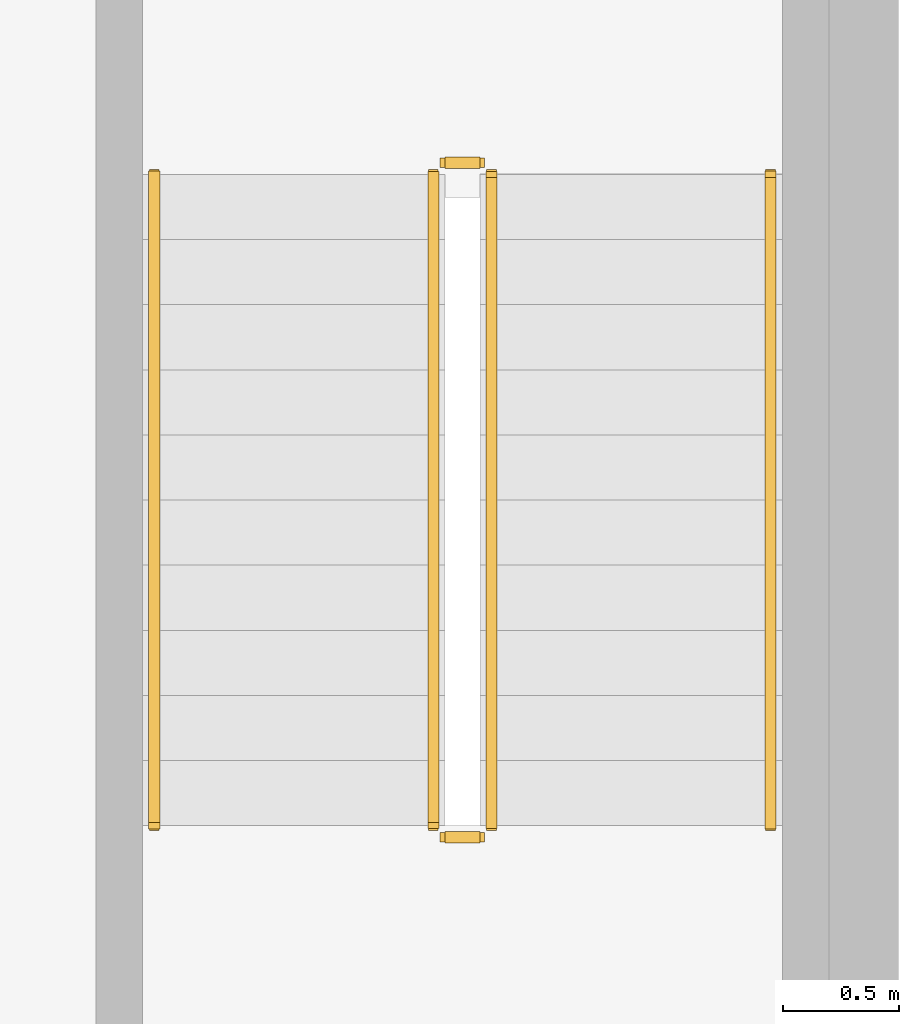
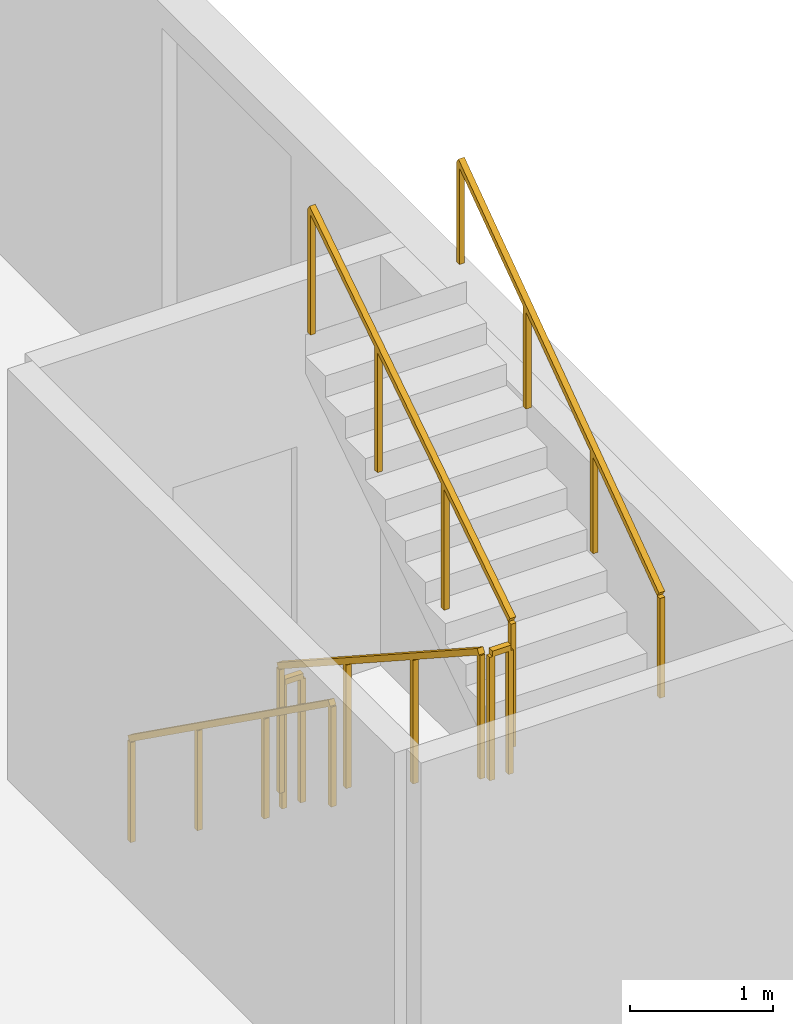
# One storey, part 43 of 45: 6 railings.
"""IFC4 building model written with IfcOpenShell, lengths in metres."""

import ifcopenshell
import ifcopenshell.guid

model = None  # the IFC model being written
_history = None  # IfcOwnerHistory: only IFC2X3 demands one
_inside = {}  # id of a spatial element -> (the spatial element, [elements in it])
_under = {}  # id of a project, library or spatial element -> (it, [spatial elements below it])
_declared = {}  # id of a project -> (the project, [libraries it declares])
_typed = {}  # id of a type object -> (the type object, [elements of that type])
_made_of = {}  # id of a material, layer set ... -> (it, [elements and type objects made of it])


def new_model(schema):
    """Start an empty IFC model of exactly this schema.

    Asked for "IFC4X3", IfcOpenShell would pick the latest addendum, in which some entities
    have other attributes; the version numbers below select the first issue.
    IFC2X3 requires an IfcOwnerHistory on every rooted entity: one is made here for all.
    """
    global model, _history
    if schema == "IFC4X3":
        model = ifcopenshell.file(schema_version=(4, 3, 0, 0))
    else:
        model = ifcopenshell.file(schema=schema)
    _inside.clear()
    _under.clear()
    _declared.clear()
    _typed.clear()
    _made_of.clear()
    _history = None
    if model.schema == "IFC2X3":
        org = make("IfcOrganization", Name="unknown")
        user = make(
            "IfcPersonAndOrganization",
            ThePerson=make("IfcPerson", FamilyName="unknown"),
            TheOrganization=org,
        )
        app = make(
            "IfcApplication",
            ApplicationDeveloper=org,
            Version="unknown",
            ApplicationFullName="unknown",
            ApplicationIdentifier="unknown",
        )
        _history = make(
            "IfcOwnerHistory",
            OwningUser=user,
            OwningApplication=app,
            ChangeAction="ADDED",
            CreationDate=0,
        )
    return model


def make(cls, **values):
    """One entity of the class cls with the attributes given. An attribute that is None is left unset."""
    return model.create_entity(
        cls, **{name: value for name, value in values.items() if value is not None}
    )


def rooted(cls, **values):
    """An entity with a GlobalId (a new one), such as an element, a storey or a relation."""
    return make(cls, GlobalId=ifcopenshell.guid.new(), OwnerHistory=_history, **values)


def si_unit(unit_type, name, prefix=None):
    """IfcSIUnit, for example si_unit("LENGTHUNIT", "METRE", prefix="MILLI")."""
    return make("IfcSIUnit", UnitType=unit_type, Prefix=prefix, Name=name)


def assignment(units):
    """IfcUnitAssignment: the units of a project."""
    return None if units is None else make("IfcUnitAssignment", Units=units)


def point(xyz):
    """IfcCartesianPoint."""
    return None if xyz is None else make("IfcCartesianPoint", Coordinates=xyz)


def direction(xyz):
    """IfcDirection."""
    return None if xyz is None else make("IfcDirection", DirectionRatios=xyz)


def frame(location, z_axis=None, x_axis=None):
    """IfcAxis2Placement3D, a coordinate frame: its origin and axes. An axis left out is left unset."""
    return make(
        "IfcAxis2Placement3D",
        Location=point(location),
        Axis=direction(z_axis),
        RefDirection=direction(x_axis),
    )


def frame_2d(location, x_axis=None):
    """IfcAxis2Placement2D, a coordinate frame in the plane: its origin and x axis."""
    return make(
        "IfcAxis2Placement2D", Location=point(location), RefDirection=direction(x_axis)
    )


def origin():
    """The frame at (0, 0, 0) with its axes left unset."""
    return frame((0.0, 0.0, 0.0))


def origin_2d():
    """The frame at (0, 0) in the plane with its x axis left unset."""
    return frame_2d((0.0, 0.0))


def place(relative_to, where):
    """IfcLocalPlacement: puts the frame where relative to a parent placement (None: the world)."""
    return make(
        "IfcLocalPlacement", PlacementRelTo=relative_to, RelativePlacement=where
    )


def context(
    kind, dimensions, precision=None, world=None, true_north=None, identifier=None
):
    """IfcGeometricRepresentationContext, for example the 3D "Model" context."""
    return make(
        "IfcGeometricRepresentationContext",
        ContextIdentifier=identifier,
        ContextType=kind,
        CoordinateSpaceDimension=dimensions,
        Precision=precision,
        WorldCoordinateSystem=world,
        TrueNorth=true_north,
    )


def subcontext(parent, identifier, kind, view, scale=None):
    """IfcGeometricRepresentationSubContext, for example "Body" below "Model"."""
    return make(
        "IfcGeometricRepresentationSubContext",
        ContextIdentifier=identifier,
        ContextType=kind,
        ParentContext=parent,
        TargetScale=scale,
        TargetView=view,
    )


def project(units=None, contexts=None):
    """IfcProject with its units and contexts."""
    return rooted(
        "IfcProject",
        Name="project",
        RepresentationContexts=contexts,
        UnitsInContext=assignment(units),
    )


def spatial(cls, under=None, at=None, **own):
    """A site, building, storey or space (cls), placed at a placement, below another one or the project."""
    s = rooted(cls, ObjectPlacement=at, **own)
    if under is not None:
        _under.setdefault(under.id(), (under, []))[1].append(s)
    return s


def profile(cls, at=None, kind="AREA", **sizes):
    """A parametric profile (cls). Its sizes go by their IFC names, for example OverallWidth=200.0."""
    return make(cls, ProfileType=kind, Position=at, **sizes)


def rectangle(**sizes):
    """IfcRectangleProfileDef."""
    return profile("IfcRectangleProfileDef", **sizes)


def extrude(swept, where, along, depth):
    """IfcExtrudedAreaSolid: the profile swept, set in the frame where, extruded along a direction by depth."""
    return make(
        "IfcExtrudedAreaSolid",
        SweptArea=swept,
        Position=where,
        ExtrudedDirection=direction(along),
        Depth=depth,
    )


def shape(context_of_items, identifier, shape_type, items):
    """IfcShapeRepresentation: the items that make up one representation, for example the "Body"."""
    return make(
        "IfcShapeRepresentation",
        ContextOfItems=context_of_items,
        RepresentationIdentifier=identifier,
        RepresentationType=shape_type,
        Items=items,
    )


def material(Name=None, Category=None):
    """IfcMaterial."""
    return make("IfcMaterial", Name=Name, Category=Category)


def made_of(thing, what):
    """Note that an element or type object is made of a material, layer set ...; save() writes the relation."""
    if what is not None:
        _made_of.setdefault(what.id(), (what, []))[1].append(thing)
    return thing


def type_object(cls, material=None, **own):
    """A type object (cls), such as IfcWallType, which elements share."""
    return made_of(rooted(cls, **own), material)


def element(
    cls,
    number,
    at=None,
    inside=None,
    cuts=None,
    type_object=None,
    material=None,
    context=None,
    identifier="Body",
    shape_type=None,
    held_by="IfcProductDefinitionShape",
    body=None,
    shapes=None,
    **own,
):
    """One element of the class cls, such as IfcWall. Its Tag is "e" and its number.

    at: its placement. inside: the storey or other place that contains it. cuts: it is an
    opening in that element (IfcRelVoidsElement). A single representation is given by context,
    identifier, shape_type and body (its items); several are given by shapes. held_by: the class
    of the entity that holds the representations. save() writes the other relations.
    """
    e = rooted(cls, Tag="e%d" % number, ObjectPlacement=at, **own)
    if body is not None:
        shapes = [shape(context, identifier, shape_type, body)]
    if shapes is not None:
        e.Representation = make(held_by, Representations=shapes)
    if inside is not None:
        _inside.setdefault(inside.id(), (inside, []))[1].append(e)
    if cuts is not None:
        rooted(
            "IfcRelVoidsElement", RelatingBuildingElement=cuts, RelatedOpeningElement=e
        )
    if type_object is not None:
        _typed.setdefault(type_object.id(), (type_object, []))[1].append(e)
    return made_of(e, material)


def aggregate(whole, parts):
    """IfcRelAggregates: a whole, such as a stair, and the parts it consists of."""
    return rooted("IfcRelAggregates", RelatingObject=whole, RelatedObjects=parts)


def save(model, path):
    """Write the relations noted so far, then the file.

    IfcRelAggregates (storeys below a building ...), IfcRelContainedInSpatialStructure (elements
    in a storey), IfcRelDefinesByType, IfcRelAssociatesMaterial and IfcRelDeclares: one each for
    every whole, place, type object, material and project.
    """
    for whole, parts in _under.values():
        aggregate(whole, parts)
    for where, things in _inside.values():
        rooted(
            "IfcRelContainedInSpatialStructure",
            RelatedElements=things,
            RelatingStructure=where,
        )
    for kind, things in _typed.values():
        rooted("IfcRelDefinesByType", RelatedObjects=things, RelatingType=kind)
    for what, things in _made_of.values():
        rooted("IfcRelAssociatesMaterial", RelatedObjects=things, RelatingMaterial=what)
    for by, libraries in _declared.values():
        rooted("IfcRelDeclares", RelatingContext=by, RelatedDefinitions=libraries)
    model.write(path)


model = new_model("IFC4")

# Units and contexts
model_context = context("Model", 3, precision=1e-05, world=origin(), true_north=direction((0.0, 1.0)))
body_context = subcontext(model_context, "Body", "Model", "MODEL_VIEW")
ifc_project = project(units=[si_unit("LENGTHUNIT", "METRE"), si_unit("AREAUNIT", "SQUARE_METRE"), si_unit("VOLUMEUNIT", "CUBIC_METRE"), si_unit("PLANEANGLEUNIT", "RADIAN"), si_unit("MASSUNIT", "GRAM", prefix="KILO")], contexts=[model_context])

# Site, building, storey
site_placement = place(None, origin())
site = spatial("IfcSite", under=ifc_project, at=site_placement, CompositionType="ELEMENT")
building_placement = place(site_placement, origin())
building = spatial("IfcBuilding", under=site, at=building_placement, Name="Beryl Residences", CompositionType="ELEMENT")
storey_placement = place(building_placement, frame((0.0, 0.0, 5.0)))
storey = spatial("IfcBuildingStorey", under=building, at=storey_placement, Name="L01", CompositionType="ELEMENT", Elevation=5.0)

# Railings
ifc_material_1 = material(Name="Stainless steel balustrade with glass infill", Category="steel")
railing_type_1 = type_object("IfcRailingType", Name="SG1 stair guard 1100 mm", PredefinedType="GUARDRAIL", material=ifc_material_1)
railing_1_placement = place(storey_placement, frame((46.0, 23.699951171875, 0.181884765625)))
element("IfcRailing", 1, at=railing_1_placement, inside=storey, type_object=railing_type_1, Name="L01 PS-5 stair guard 1", PredefinedType="GUARDRAIL", context=body_context, shape_type="SweptSolid", body=[
    extrude(rectangle(XDim=0.048095703125, YDim=0.048095703125, at=origin_2d()), frame((0.0, 0.0, 1.076171875), z_axis=(0.0, -0.838705829183, 0.544584733623), x_axis=(1.0, 0.0, 0.0)), (0.0, 0.0, 1.0), 3.338623046875),
    extrude(rectangle(XDim=0.0419921875, YDim=0.0419921875, at=origin_2d()), origin(), (0.0, 0.0, 1.0), 1.052001953125),
    extrude(rectangle(XDim=0.0419921875, YDim=0.0419921875, at=origin_2d()), frame((0.0, -0.933349609375, 0.60595703125)), (0.0, 0.0, 1.0), 1.052001953125),
    extrude(rectangle(XDim=0.0419921875, YDim=0.0419921875, at=origin_2d()), frame((0.0, -1.86669921875, 1.212158203125)), (0.0, 0.0, 1.0), 1.052001953125),
    extrude(rectangle(XDim=0.0419921875, YDim=0.0419921875, at=origin_2d()), frame((0.0, -2.800048828125, 1.818115234375)), (0.0, 0.0, 1.0), 1.052001953125),
])
railing_2_placement = place(storey_placement, frame((46.050048828125, 20.85009765625, 2.0)))
element("IfcRailing", 2, at=railing_2_placement, inside=storey, type_object=railing_type_1, Name="L01 PS-5 stair guard 2", PredefinedType="GUARDRAIL", context=body_context, shape_type="SweptSolid", body=[
    extrude(rectangle(XDim=0.048095703125, YDim=0.048095703125, at=origin_2d()), frame((0.0, 0.0, 1.076171875), z_axis=(1.0, 0.0, 0.0), x_axis=(0.0, 1.0, 0.0)), (0.0, 0.0, 1.0), 0.14990234375),
    extrude(rectangle(XDim=0.0419921875, YDim=0.0419921875, at=origin_2d()), origin(), (0.0, 0.0, 1.0), 1.052001953125),
    extrude(rectangle(XDim=0.0419921875, YDim=0.0419921875, at=origin_2d()), frame((0.14990234375, 0.0, 0.0)), (0.0, 0.0, 1.0), 1.052001953125),
])
railing_3_placement = place(storey_placement, frame((46.25, 20.89990234375, 2.181884765625)))
element("IfcRailing", 3, at=railing_3_placement, inside=storey, type_object=railing_type_1, Name="L01 PS-5 stair guard 3", PredefinedType="GUARDRAIL", context=body_context, shape_type="SweptSolid", body=[
    extrude(rectangle(XDim=0.048095703125, YDim=0.048095703125, at=origin_2d()), frame((0.0, 0.0, 1.076171875), z_axis=(0.0, 0.838705829183, 0.544584733623), x_axis=(-1.0, 0.0, 0.0)), (0.0, 0.0, 1.0), 3.338623046875),
    extrude(rectangle(XDim=0.0419921875, YDim=0.0419921875, at=origin_2d()), origin(), (0.0, 0.0, 1.0), 1.052001953125),
    extrude(rectangle(XDim=0.0419921875, YDim=0.0419921875, at=origin_2d()), frame((0.0, 0.933349609375, 0.60595703125)), (0.0, 0.0, 1.0), 1.052001953125),
    extrude(rectangle(XDim=0.0419921875, YDim=0.0419921875, at=origin_2d()), frame((0.0, 1.86669921875, 1.212158203125)), (0.0, 0.0, 1.0), 1.052001953125),
    extrude(rectangle(XDim=0.0419921875, YDim=0.0419921875, at=origin_2d()), frame((0.0, 2.800048828125, 1.818115234375)), (0.0, 0.0, 1.0), 1.052001953125),
])
railing_4_placement = place(storey_placement, frame((46.050048828125, 23.75, 0.0)))
element("IfcRailing", 4, at=railing_4_placement, inside=storey, type_object=railing_type_1, Name="L01 PS-5 stair guard 4", PredefinedType="GUARDRAIL", context=body_context, shape_type="SweptSolid", body=[
    extrude(rectangle(XDim=0.048095703125, YDim=0.048095703125, at=origin_2d()), frame((0.0, 0.0, 1.076171875), z_axis=(1.0, 0.0, 0.0), x_axis=(0.0, 1.0, 0.0)), (0.0, 0.0, 1.0), 0.14990234375),
    extrude(rectangle(XDim=0.0419921875, YDim=0.0419921875, at=origin_2d()), origin(), (0.0, 0.0, 1.0), 1.052001953125),
    extrude(rectangle(XDim=0.0419921875, YDim=0.0419921875, at=origin_2d()), frame((0.14990234375, 0.0, 0.0)), (0.0, 0.0, 1.0), 1.052001953125),
])
ifc_material_2 = material(Name="Stainless steel handrail", Category="steel")
railing_type_2 = type_object("IfcRailingType", Name="SRL1 stair handrail 900 mm", PredefinedType="HANDRAIL", material=ifc_material_2)
railing_5_placement = place(storey_placement, frame((44.800048828125, 23.699951171875, 0.181884765625)))
element("IfcRailing", 5, at=railing_5_placement, inside=storey, type_object=railing_type_2, Name="L01 PS-5 stair handrail 1", PredefinedType="HANDRAIL", context=body_context, shape_type="SweptSolid", body=[
    extrude(rectangle(XDim=0.048095703125, YDim=0.048095703125, at=origin_2d()), frame((0.0, 0.0, 0.8759765625), z_axis=(0.0, -0.813738265173, 0.581231482108), x_axis=(1.0, 0.0, 0.0)), (0.0, 0.0, 1.0), 3.44091796875),
    extrude(rectangle(XDim=0.0419921875, YDim=0.0419921875, at=origin_2d()), origin(), (0.0, 0.0, 1.0), 0.851806640625),
    extrude(rectangle(XDim=0.0419921875, YDim=0.0419921875, at=origin_2d()), frame((0.0, -0.933349609375, 0.666748046875)), (0.0, 0.0, 1.0), 0.851806640625),
    extrude(rectangle(XDim=0.0419921875, YDim=0.0419921875, at=origin_2d()), frame((0.0, -1.86669921875, 1.333251953125)), (0.0, 0.0, 1.0), 0.851806640625),
    extrude(rectangle(XDim=0.0419921875, YDim=0.0419921875, at=origin_2d()), frame((0.0, -2.800048828125, 2.0)), (0.0, 0.0, 1.0), 0.851806640625),
])
railing_6_placement = place(storey_placement, frame((47.449951171875, 20.89990234375, 2.181884765625)))
element("IfcRailing", 6, at=railing_6_placement, inside=storey, type_object=railing_type_2, Name="L01 PS-5 stair handrail 2", PredefinedType="HANDRAIL", context=body_context, shape_type="SweptSolid", body=[
    extrude(rectangle(XDim=0.048095703125, YDim=0.048095703125, at=origin_2d()), frame((0.0, 0.0, 0.8759765625), z_axis=(0.0, 0.813738265173, 0.581231482108), x_axis=(-1.0, 0.0, 0.0)), (0.0, 0.0, 1.0), 3.44091796875),
    extrude(rectangle(XDim=0.0419921875, YDim=0.0419921875, at=origin_2d()), origin(), (0.0, 0.0, 1.0), 0.851806640625),
    extrude(rectangle(XDim=0.0419921875, YDim=0.0419921875, at=origin_2d()), frame((0.0, 0.933349609375, 0.666748046875)), (0.0, 0.0, 1.0), 0.851806640625),
    extrude(rectangle(XDim=0.0419921875, YDim=0.0419921875, at=origin_2d()), frame((0.0, 1.86669921875, 1.333251953125)), (0.0, 0.0, 1.0), 0.851806640625),
    extrude(rectangle(XDim=0.0419921875, YDim=0.0419921875, at=origin_2d()), frame((0.0, 2.800048828125, 2.0)), (0.0, 0.0, 1.0), 0.851806640625),
])

save(model, "model.ifc")
